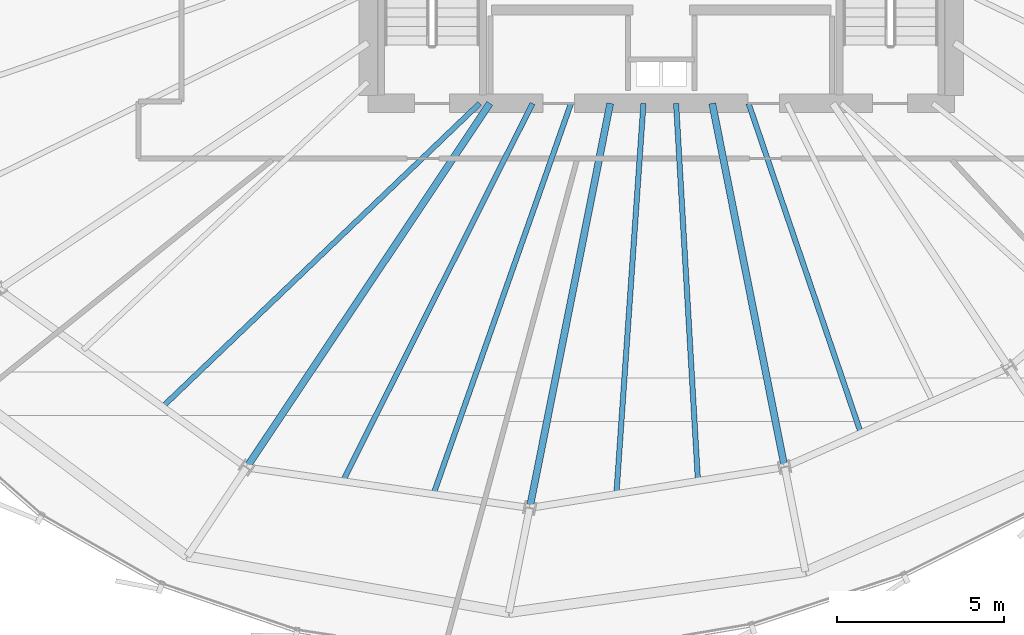
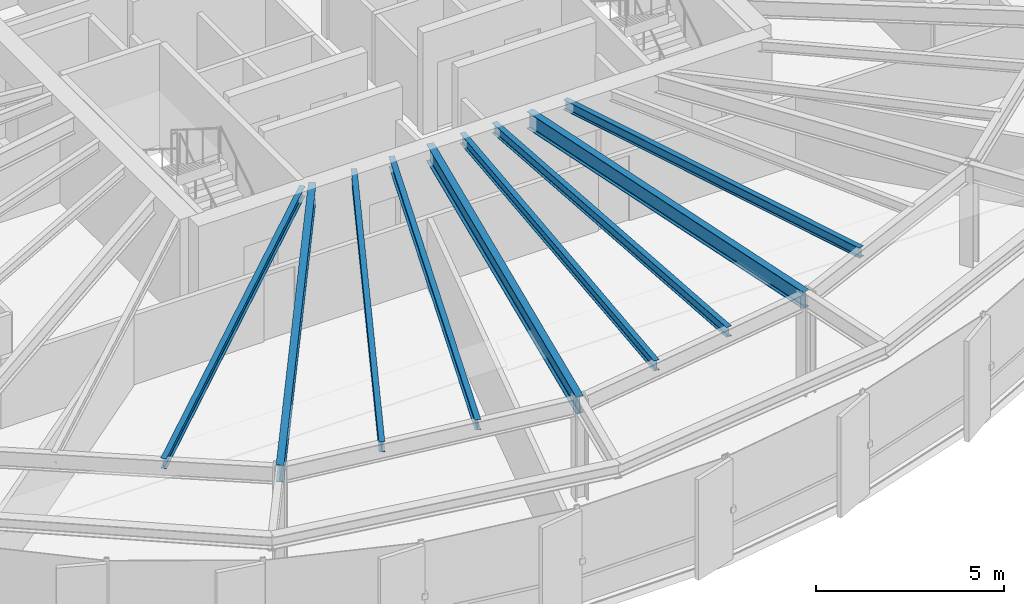
# One storey, part 7 of 32: 9 beams.
"""IFC4 building model written with IfcOpenShell, lengths in metres."""

from ifc_helpers import new_model, si_unit, direction, frame, origin, origin_2d, place, context, subcontext, project, spatial, i_section, extrude, source, transform, mapped, material, material_profile, profile_set, type_object, element, save


model = new_model("IFC4")

# Units and contexts
model_context = context("Model", 3, precision=1e-05, world=origin(), true_north=direction((0.0, 1.0)))
body_context = subcontext(model_context, "Body", "Model", "MODEL_VIEW")
ifc_project = project(units=[si_unit("LENGTHUNIT", "METRE"), si_unit("AREAUNIT", "SQUARE_METRE"), si_unit("VOLUMEUNIT", "CUBIC_METRE"), si_unit("PLANEANGLEUNIT", "RADIAN"), si_unit("MASSUNIT", "GRAM", prefix="KILO"), si_unit("THERMODYNAMICTEMPERATUREUNIT", "KELVIN")], contexts=[model_context])

# Site, building, storey
site_placement = place(None, origin())
site = spatial("IfcSite", under=ifc_project, at=site_placement, CompositionType="ELEMENT")
building_placement = place(site_placement, origin())
building = spatial("IfcBuilding", under=site, at=building_placement, Name="Kethvar Cultural Tower", CompositionType="ELEMENT")
storey_placement = place(building_placement, frame((0.0, 0.0, 157.199951171875)))
storey = spatial("IfcBuildingStorey", under=building, at=storey_placement, Name="L40", CompositionType="ELEMENT", Elevation=157.199951171875)

# Beams
ifc_material = material(Name="Steel S355J2", Category="steel")
ifc_material_profile_1 = material_profile(ifc_material, i_section(OverallWidth=0.2099609375, OverallDepth=0.550048828125, WebThickness=0.010986328125, FlangeThickness=0.01708984375, FilletRadius=0.02392578125, at=origin_2d()), Name="Steel S355J2 — IPE550")
ifc_profile_set_1 = profile_set([ifc_material_profile_1], Name="Steel S355J2 — IPE550")
beam_type_1 = type_object("IfcBeamType", Name="BM-IPE550", PredefinedType="BEAM", material=ifc_profile_set_1)
shared_shape_1 = source(origin(), body_context, "Body", "SweptSolid", [
    extrude(i_section(OverallWidth=0.2099609375, OverallDepth=0.550048828125, WebThickness=0.010986328125, FlangeThickness=0.01708984375, FilletRadius=0.02392578125, at=origin_2d()), origin(), (0.0, 0.0, 1.0), 13.147216796875),
])
beam_1_placement = place(storey_placement, frame((41.655029296875, 20.10009765625, 3.02294921875), z_axis=(-0.555565525446, -0.831472757783, 0.0), x_axis=(0.831472757783, -0.555565525446, 0.0)))
element("IfcBeam", 1, at=beam_1_placement, inside=storey, type_object=beam_type_1, Name="L40 Primary Radial Beam RB-11", PredefinedType="BEAM", context=body_context, shape_type="MappedRepresentation", body=[
    mapped(shared_shape_1, transform((0.0, 0.0, 0.0), scale=1.0)),
])
shared_shape_2 = source(origin(), body_context, "Body", "SweptSolid", [
    extrude(i_section(OverallWidth=0.2099609375, OverallDepth=0.550048828125, WebThickness=0.010986328125, FlangeThickness=0.01708984375, FilletRadius=0.02392578125, at=origin_2d()), origin(), (0.0, 0.0, 1.0), 12.384521484375),
])
beam_2_placement = place(storey_placement, frame((45.268310546875, 20.10009765625, 3.02294921875), z_axis=(-0.195084858678, -0.980786367113, 0.0), x_axis=(0.980786367113, -0.195084858678, 0.0)))
element("IfcBeam", 2, at=beam_2_placement, inside=storey, type_object=beam_type_1, Name="L40 Primary Radial Beam RB-12", PredefinedType="BEAM", context=body_context, shape_type="MappedRepresentation", body=[
    mapped(shared_shape_2, transform((0.0, 0.0, 0.0), scale=1.0)),
])
shared_shape_3 = source(origin(), body_context, "Body", "SweptSolid", [
    extrude(i_section(OverallWidth=0.2099609375, OverallDepth=0.550048828125, WebThickness=0.010986328125, FlangeThickness=0.01708984375, FilletRadius=0.02392578125, at=origin_2d()), origin(), (0.0, 0.0, 1.0), 11.131591796875),
])
beam_3_placement = place(storey_placement, frame((48.33154296875, 20.10009765625, 3.02294921875), z_axis=(0.195107998266, -0.980781764213, 0.0), x_axis=(0.980781764213, 0.195107998266, 0.0)))
element("IfcBeam", 3, at=beam_3_placement, inside=storey, type_object=beam_type_1, Name="L40 Primary Radial Beam RB-13", PredefinedType="BEAM", context=body_context, shape_type="MappedRepresentation", body=[
    mapped(shared_shape_3, transform((0.0, 0.0, 0.0), scale=1.0)),
])
ifc_material_profile_2 = material_profile(ifc_material, i_section(OverallWidth=0.159912109375, OverallDepth=0.330078125, WebThickness=0.007568359375, FlangeThickness=0.011474609375, FilletRadius=0.01806640625, at=origin_2d()), Name="Steel S355J2 — IPE330")
ifc_profile_set_2 = profile_set([ifc_material_profile_2], Name="Steel S355J2 — IPE330")
beam_type_2 = type_object("IfcBeamType", Name="BM-J330", PredefinedType="JOIST", material=ifc_profile_set_2)
shared_shape_4 = source(origin(), body_context, "Body", "SweptSolid", [
    extrude(i_section(OverallWidth=0.159912109375, OverallDepth=0.330078125, WebThickness=0.007568359375, FlangeThickness=0.011474609375, FilletRadius=0.01806640625, at=origin_2d()), origin(), (0.0, 0.0, 1.0), 13.1826171875),
])
beam_4_placement = place(storey_placement, frame((41.35009765625, 20.10009765625, 3.133056640625), z_axis=(-0.722573880181, -0.691293705801, 0.0), x_axis=(0.691293705801, -0.722573880181, 0.0)))
element("IfcBeam", 4, at=beam_4_placement, inside=storey, type_object=beam_type_2, Name="L40 Composite Floor Joist J-10B", PredefinedType="JOIST", context=body_context, shape_type="MappedRepresentation", body=[
    mapped(shared_shape_4, transform((0.0, 0.0, 0.0), scale=1.0)),
])
shared_shape_5 = source(origin(), body_context, "Body", "SweptSolid", [
    extrude(i_section(OverallWidth=0.159912109375, OverallDepth=0.330078125, WebThickness=0.007568359375, FlangeThickness=0.011474609375, FilletRadius=0.01806640625, at=origin_2d()), origin(), (0.0, 0.0, 1.0), 12.693603515625),
])
beam_5_placement = place(storey_placement, frame((42.935302734375, 20.10009765625, 3.133056640625), z_axis=(-0.448582495233, -0.893741430712, 0.0), x_axis=(0.893741430712, -0.448582495233, 0.0)))
element("IfcBeam", 5, at=beam_5_placement, inside=storey, type_object=beam_type_2, Name="L40 Composite Floor Joist J-11A", PredefinedType="JOIST", context=body_context, shape_type="MappedRepresentation", body=[
    mapped(shared_shape_5, transform((0.0, 0.0, 0.0), scale=1.0)),
])
shared_shape_6 = source(origin(), body_context, "Body", "SweptSolid", [
    extrude(i_section(OverallWidth=0.159912109375, OverallDepth=0.330078125, WebThickness=0.007568359375, FlangeThickness=0.011474609375, FilletRadius=0.01806640625, at=origin_2d()), origin(), (0.0, 0.0, 1.0), 12.4384765625),
])
beam_6_placement = place(storey_placement, frame((44.090576171875, 20.10009765625, 3.133056640625), z_axis=(-0.331923676994, -0.943306245421, 0.0), x_axis=(0.943306245421, -0.331923676994, 0.0)))
element("IfcBeam", 6, at=beam_6_placement, inside=storey, type_object=beam_type_2, Name="L40 Composite Floor Joist J-11B", PredefinedType="JOIST", context=body_context, shape_type="MappedRepresentation", body=[
    mapped(shared_shape_6, transform((0.0, 0.0, 0.0), scale=1.0)),
])
shared_shape_7 = source(origin(), body_context, "Body", "SweptSolid", [
    extrude(i_section(OverallWidth=0.159912109375, OverallDepth=0.330078125, WebThickness=0.007568359375, FlangeThickness=0.011474609375, FilletRadius=0.01806640625, at=origin_2d()), origin(), (0.0, 0.0, 1.0), 11.7568359375),
])
beam_7_placement = place(storey_placement, frame((46.266357421875, 20.10009765625, 3.133056640625), z_axis=(-0.069129203877, -0.997607715072, 0.0), x_axis=(0.997607715072, -0.069129203877, 0.0)))
element("IfcBeam", 7, at=beam_7_placement, inside=storey, type_object=beam_type_2, Name="L40 Composite Floor Joist J-12A", PredefinedType="JOIST", context=body_context, shape_type="MappedRepresentation", body=[
    mapped(shared_shape_7, transform((0.0, 0.0, 0.0), scale=1.0)),
])
shared_shape_8 = source(origin(), body_context, "Body", "SweptSolid", [
    extrude(i_section(OverallWidth=0.159912109375, OverallDepth=0.330078125, WebThickness=0.007568359375, FlangeThickness=0.011474609375, FilletRadius=0.01806640625, at=origin_2d()), origin(), (0.0, 0.0, 1.0), 11.354736328125),
])
beam_8_placement = place(storey_placement, frame((47.245849609375, 20.10009765625, 3.133056640625), z_axis=(0.057795585741, -0.998328438075, 0.0), x_axis=(0.998328438075, 0.057795585741, 0.0)))
element("IfcBeam", 8, at=beam_8_placement, inside=storey, type_object=beam_type_2, Name="L40 Composite Floor Joist J-12B", PredefinedType="JOIST", context=body_context, shape_type="MappedRepresentation", body=[
    mapped(shared_shape_8, transform((0.0, 0.0, 0.0), scale=1.0)),
])
shared_shape_9 = source(origin(), body_context, "Body", "SweptSolid", [
    extrude(i_section(OverallWidth=0.159912109375, OverallDepth=0.330078125, WebThickness=0.007568359375, FlangeThickness=0.011474609375, FilletRadius=0.01806640625, at=origin_2d()), origin(), (0.0, 0.0, 1.0), 10.45947265625),
])
beam_9_placement = place(storey_placement, frame((49.42236328125, 20.10009765625, 3.133056640625), z_axis=(0.322390188368, -0.94660687006, 0.0), x_axis=(0.94660687006, 0.322390188368, 0.0)))
element("IfcBeam", 9, at=beam_9_placement, inside=storey, type_object=beam_type_2, Name="L40 Composite Floor Joist J-13A", PredefinedType="JOIST", context=body_context, shape_type="MappedRepresentation", body=[
    mapped(shared_shape_9, transform((0.0, 0.0, 0.0), scale=1.0)),
])

save(model, "model.ifc")
